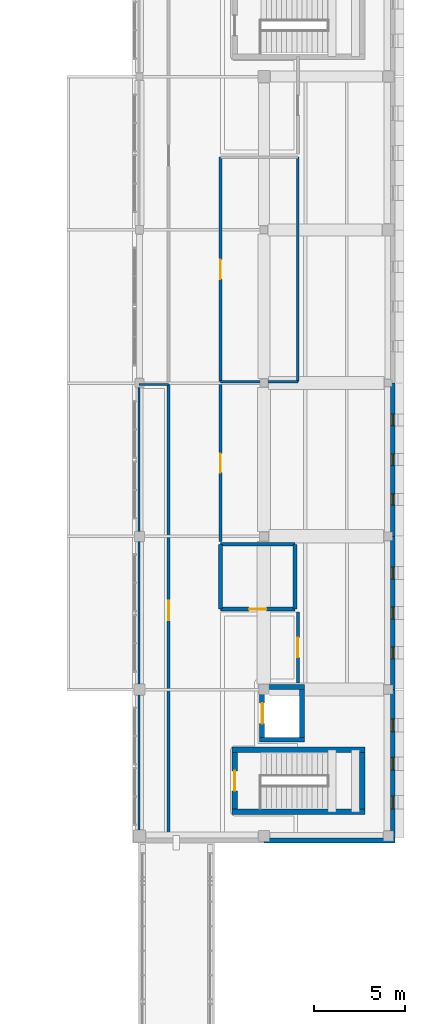
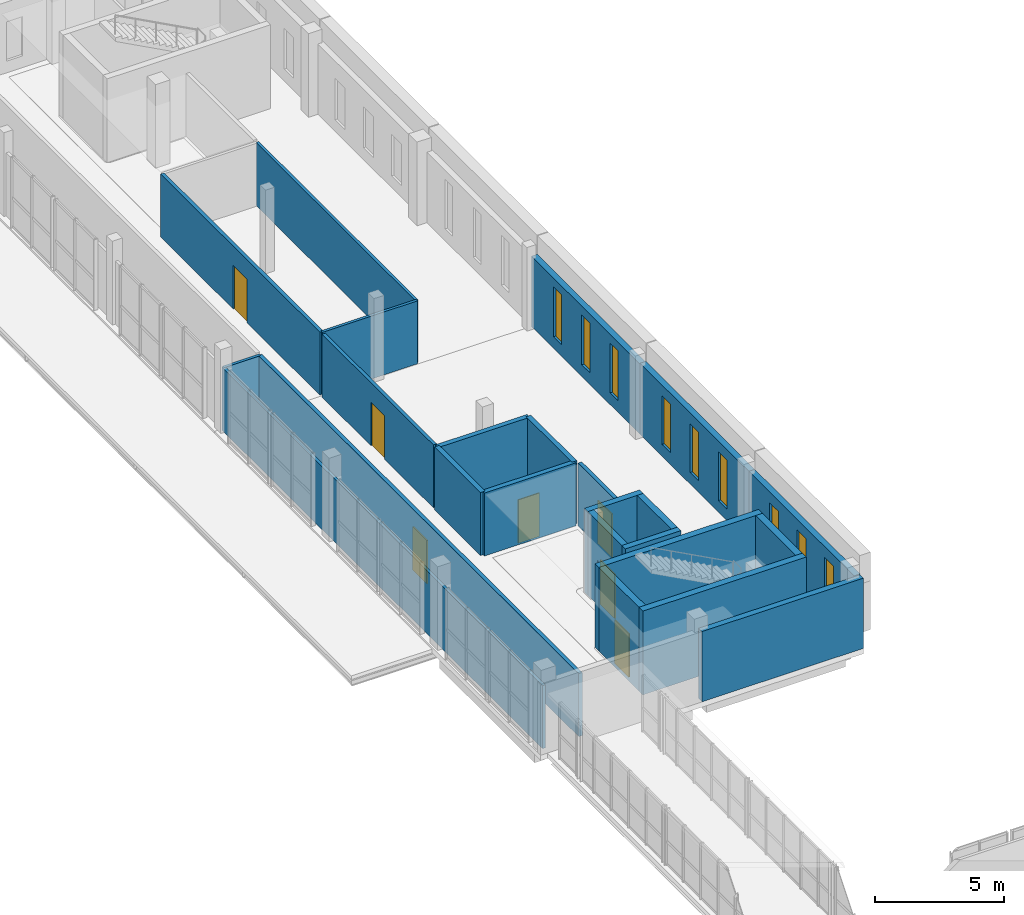
# One storey, part 62 of 76: 24 walls, 9 windows, 7 doors, 16 openings.
"""IFC4 building model written with IfcOpenShell, lengths in metres."""

import ifcopenshell
import ifcopenshell.guid

model = None  # the IFC model being written
_history = None  # IfcOwnerHistory: only IFC2X3 demands one
_inside = {}  # id of a spatial element -> (the spatial element, [elements in it])
_under = {}  # id of a project, library or spatial element -> (it, [spatial elements below it])
_declared = {}  # id of a project -> (the project, [libraries it declares])
_typed = {}  # id of a type object -> (the type object, [elements of that type])
_made_of = {}  # id of a material, layer set ... -> (it, [elements and type objects made of it])


def new_model(schema):
    """Start an empty IFC model of exactly this schema.

    Asked for "IFC4X3", IfcOpenShell would pick the latest addendum, in which some entities
    have other attributes; the version numbers below select the first issue.
    IFC2X3 requires an IfcOwnerHistory on every rooted entity: one is made here for all.
    """
    global model, _history
    if schema == "IFC4X3":
        model = ifcopenshell.file(schema_version=(4, 3, 0, 0))
    else:
        model = ifcopenshell.file(schema=schema)
    _inside.clear()
    _under.clear()
    _declared.clear()
    _typed.clear()
    _made_of.clear()
    _history = None
    if model.schema == "IFC2X3":
        org = make("IfcOrganization", Name="unknown")
        user = make(
            "IfcPersonAndOrganization",
            ThePerson=make("IfcPerson", FamilyName="unknown"),
            TheOrganization=org,
        )
        app = make(
            "IfcApplication",
            ApplicationDeveloper=org,
            Version="unknown",
            ApplicationFullName="unknown",
            ApplicationIdentifier="unknown",
        )
        _history = make(
            "IfcOwnerHistory",
            OwningUser=user,
            OwningApplication=app,
            ChangeAction="ADDED",
            CreationDate=0,
        )
    return model


def make(cls, **values):
    """One entity of the class cls with the attributes given. An attribute that is None is left unset."""
    return model.create_entity(
        cls, **{name: value for name, value in values.items() if value is not None}
    )


def rooted(cls, **values):
    """An entity with a GlobalId (a new one), such as an element, a storey or a relation."""
    return make(cls, GlobalId=ifcopenshell.guid.new(), OwnerHistory=_history, **values)


def si_unit(unit_type, name, prefix=None):
    """IfcSIUnit, for example si_unit("LENGTHUNIT", "METRE", prefix="MILLI")."""
    return make("IfcSIUnit", UnitType=unit_type, Prefix=prefix, Name=name)


def assignment(units):
    """IfcUnitAssignment: the units of a project."""
    return None if units is None else make("IfcUnitAssignment", Units=units)


def point(xyz):
    """IfcCartesianPoint."""
    return None if xyz is None else make("IfcCartesianPoint", Coordinates=xyz)


def direction(xyz):
    """IfcDirection."""
    return None if xyz is None else make("IfcDirection", DirectionRatios=xyz)


def frame(location, z_axis=None, x_axis=None):
    """IfcAxis2Placement3D, a coordinate frame: its origin and axes. An axis left out is left unset."""
    return make(
        "IfcAxis2Placement3D",
        Location=point(location),
        Axis=direction(z_axis),
        RefDirection=direction(x_axis),
    )


def frame_2d(location, x_axis=None):
    """IfcAxis2Placement2D, a coordinate frame in the plane: its origin and x axis."""
    return make(
        "IfcAxis2Placement2D", Location=point(location), RefDirection=direction(x_axis)
    )


def origin():
    """The frame at (0, 0, 0) with its axes left unset."""
    return frame((0.0, 0.0, 0.0))


def place(relative_to, where):
    """IfcLocalPlacement: puts the frame where relative to a parent placement (None: the world)."""
    return make(
        "IfcLocalPlacement", PlacementRelTo=relative_to, RelativePlacement=where
    )


def context(
    kind, dimensions, precision=None, world=None, true_north=None, identifier=None
):
    """IfcGeometricRepresentationContext, for example the 3D "Model" context."""
    return make(
        "IfcGeometricRepresentationContext",
        ContextIdentifier=identifier,
        ContextType=kind,
        CoordinateSpaceDimension=dimensions,
        Precision=precision,
        WorldCoordinateSystem=world,
        TrueNorth=true_north,
    )


def subcontext(parent, identifier, kind, view, scale=None):
    """IfcGeometricRepresentationSubContext, for example "Body" below "Model"."""
    return make(
        "IfcGeometricRepresentationSubContext",
        ContextIdentifier=identifier,
        ContextType=kind,
        ParentContext=parent,
        TargetScale=scale,
        TargetView=view,
    )


def project(units=None, contexts=None):
    """IfcProject with its units and contexts."""
    return rooted(
        "IfcProject",
        Name="project",
        RepresentationContexts=contexts,
        UnitsInContext=assignment(units),
    )


def spatial(cls, under=None, at=None, **own):
    """A site, building, storey or space (cls), placed at a placement, below another one or the project."""
    s = rooted(cls, ObjectPlacement=at, **own)
    if under is not None:
        _under.setdefault(under.id(), (under, []))[1].append(s)
    return s


def profile(cls, at=None, kind="AREA", **sizes):
    """A parametric profile (cls). Its sizes go by their IFC names, for example OverallWidth=200.0."""
    return make(cls, ProfileType=kind, Position=at, **sizes)


def rectangle(**sizes):
    """IfcRectangleProfileDef."""
    return profile("IfcRectangleProfileDef", **sizes)


def extrude(swept, where, along, depth):
    """IfcExtrudedAreaSolid: the profile swept, set in the frame where, extruded along a direction by depth."""
    return make(
        "IfcExtrudedAreaSolid",
        SweptArea=swept,
        Position=where,
        ExtrudedDirection=direction(along),
        Depth=depth,
    )


def shape(context_of_items, identifier, shape_type, items):
    """IfcShapeRepresentation: the items that make up one representation, for example the "Body"."""
    return make(
        "IfcShapeRepresentation",
        ContextOfItems=context_of_items,
        RepresentationIdentifier=identifier,
        RepresentationType=shape_type,
        Items=items,
    )


def material(Name=None, Category=None):
    """IfcMaterial."""
    return make("IfcMaterial", Name=Name, Category=Category)


def layer(
    of_material, thickness, ventilated=None, Name=None, Category=None, Priority=None
):
    """IfcMaterialLayer: one layer of a wall or slab, of a material (None: an air gap)."""
    return make(
        "IfcMaterialLayer",
        Material=of_material,
        LayerThickness=thickness,
        IsVentilated=ventilated,
        Name=Name,
        Category=Category,
        Priority=Priority,
    )


def layer_set(layers, Name=None):
    """IfcMaterialLayerSet."""
    return make("IfcMaterialLayerSet", MaterialLayers=layers, LayerSetName=Name)


def made_of(thing, what):
    """Note that an element or type object is made of a material, layer set ...; save() writes the relation."""
    if what is not None:
        _made_of.setdefault(what.id(), (what, []))[1].append(thing)
    return thing


def type_object(cls, material=None, **own):
    """A type object (cls), such as IfcWallType, which elements share."""
    return made_of(rooted(cls, **own), material)


def element(
    cls,
    number,
    at=None,
    inside=None,
    cuts=None,
    type_object=None,
    material=None,
    context=None,
    identifier="Body",
    shape_type=None,
    held_by="IfcProductDefinitionShape",
    body=None,
    shapes=None,
    **own,
):
    """One element of the class cls, such as IfcWall. Its Tag is "e" and its number.

    at: its placement. inside: the storey or other place that contains it. cuts: it is an
    opening in that element (IfcRelVoidsElement). A single representation is given by context,
    identifier, shape_type and body (its items); several are given by shapes. held_by: the class
    of the entity that holds the representations. save() writes the other relations.
    """
    e = rooted(cls, Tag="e%d" % number, ObjectPlacement=at, **own)
    if body is not None:
        shapes = [shape(context, identifier, shape_type, body)]
    if shapes is not None:
        e.Representation = make(held_by, Representations=shapes)
    if inside is not None:
        _inside.setdefault(inside.id(), (inside, []))[1].append(e)
    if cuts is not None:
        rooted(
            "IfcRelVoidsElement", RelatingBuildingElement=cuts, RelatedOpeningElement=e
        )
    if type_object is not None:
        _typed.setdefault(type_object.id(), (type_object, []))[1].append(e)
    return made_of(e, material)


def fill(opening, filler):
    """IfcRelFillsElement: the door or window that sits in an opening."""
    return rooted(
        "IfcRelFillsElement",
        RelatingOpeningElement=opening,
        RelatedBuildingElement=filler,
    )


def aggregate(whole, parts):
    """IfcRelAggregates: a whole, such as a stair, and the parts it consists of."""
    return rooted("IfcRelAggregates", RelatingObject=whole, RelatedObjects=parts)


def save(model, path):
    """Write the relations noted so far, then the file.

    IfcRelAggregates (storeys below a building ...), IfcRelContainedInSpatialStructure (elements
    in a storey), IfcRelDefinesByType, IfcRelAssociatesMaterial and IfcRelDeclares: one each for
    every whole, place, type object, material and project.
    """
    for whole, parts in _under.values():
        aggregate(whole, parts)
    for where, things in _inside.values():
        rooted(
            "IfcRelContainedInSpatialStructure",
            RelatedElements=things,
            RelatingStructure=where,
        )
    for kind, things in _typed.values():
        rooted("IfcRelDefinesByType", RelatedObjects=things, RelatingType=kind)
    for what, things in _made_of.values():
        rooted("IfcRelAssociatesMaterial", RelatedObjects=things, RelatingMaterial=what)
    for by, libraries in _declared.values():
        rooted("IfcRelDeclares", RelatingContext=by, RelatedDefinitions=libraries)
    model.write(path)


model = new_model("IFC4")

# Units and contexts
model_context = context("Model", 3, precision=1e-05, world=origin(), true_north=direction((0.0, 1.0)))
body_context = subcontext(model_context, "Body", "Model", "MODEL_VIEW")
ifc_project = project(units=[si_unit("LENGTHUNIT", "METRE"), si_unit("AREAUNIT", "SQUARE_METRE"), si_unit("VOLUMEUNIT", "CUBIC_METRE"), si_unit("PLANEANGLEUNIT", "RADIAN"), si_unit("MASSUNIT", "GRAM", prefix="KILO")], contexts=[model_context])

# Site, building, storey
site_placement = place(None, origin())
site = spatial("IfcSite", under=ifc_project, at=site_placement, CompositionType="ELEMENT")
building_placement = place(site_placement, origin())
building = spatial("IfcBuilding", under=site, at=building_placement, Name="Vardoun Plaza Health Centre", CompositionType="ELEMENT")
storey_placement = place(building_placement, frame((0.0, 0.0, 4.5)))
storey = spatial("IfcBuildingStorey", under=building, at=storey_placement, Name="L01", CompositionType="ELEMENT", Elevation=4.5)

# Wall
ifc_material_1 = material(Name="Concrete C40/50", Category="concrete")
ifc_layer_1 = layer(ifc_material_1, 0.27001953125)
ifc_layer_set_1 = layer_set([ifc_layer_1], Name="Concrete C40/50")
wall_type_1 = type_object("IfcWallType", Name="SW-03", PredefinedType="SHEAR", material=ifc_layer_set_1)
wall_1_placement = place(storey_placement, frame((160.3349609375, 41.949951171875, 0.0), z_axis=(0.0, 0.0, 1.0), x_axis=(-1.0, 0.0, 0.0)))
element("IfcWall", 1, at=wall_1_placement, inside=storey, type_object=wall_type_1, Name="Lift LP-05 L01 Shaft Wall S", PredefinedType="SHEAR", context=body_context, shape_type="SweptSolid", body=[
    extrude(rectangle(XDim=2.469970703125, YDim=0.27001953125, at=frame_2d((1.23486328125, 0.0))), origin(), (0.0, 0.0, 1.0), 3.949951171875),
])

# Wall, opening, door
wall_2_placement = place(storey_placement, frame((158.0, 42.0849609375, 0.0), z_axis=(0.0, 0.0, 1.0), x_axis=(0.0, 1.0, 0.0)))
wall_2 = element("IfcWall", 2, at=wall_2_placement, inside=storey, type_object=wall_type_1, Name="Lift LP-05 L01 Shaft Wall W", PredefinedType="SHEAR", context=body_context, shape_type="SweptSolid", body=[
    extrude(rectangle(XDim=2.630126953125, YDim=0.27001953125, at=frame_2d((1.31494140625, 0.0))), origin(), (0.0, 0.0, 1.0), 3.949951171875),
])
opening_1_placement = place(wall_2_placement, frame((0.7548828125, 0.0, 0.0)))
opening_1 = element("IfcOpeningElement", 3, at=opening_1_placement, cuts=wall_2, Name="Opening LD-LP-05-L01", PredefinedType="OPENING", context=body_context, shape_type="SweptSolid", body=[
    extrude(rectangle(XDim=1.1201171875, YDim=2.10009765625, at=frame_2d((0.56005859375, 1.050048828125))), frame((0.0, 0.135009765625, 0.0), z_axis=(0.0, -1.0, 0.0), x_axis=(1.0, 0.0, 0.0)), (0.0, 0.0, 1.0), 0.27001953125),
])
ifc_material_2 = material(Name="Brushed Stainless Steel Grade 316L", Category="steel")
door_type_1 = type_object("IfcDoorType", Name="LD-01", OperationType="DOUBLE_DOOR_SLIDING", PredefinedType="DOOR", material=ifc_material_2)
door_1_placement = place(opening_1_placement, origin())
door_1 = element("IfcDoor", 4, at=door_1_placement, inside=storey, type_object=door_type_1, Name="Lift LP-05 L01 Sliding Landing Door", OperationType="DOUBLE_DOOR_SLIDING", OverallHeight=2.10009765625, OverallWidth=1.1201171875, PredefinedType="DOOR", context=body_context, shape_type="SweptSolid", body=[
    extrude(rectangle(XDim=1.1201171875, YDim=2.10009765625, at=frame_2d((0.56005859375, 1.050048828125))), frame((0.0, 0.02490234375, 0.0), z_axis=(0.0, -1.0, 0.0), x_axis=(1.0, 0.0, 0.0)), (0.0, 0.0, 1.0), 0.050048828125),
])
fill(opening_1, door_1)

# Walls
wall_3_placement = place(storey_placement, frame((157.864990234375, 44.85009765625, 0.0), z_axis=(0.0, 0.0, 1.0), x_axis=(1.0, 0.0, 0.0)))
element("IfcWall", 5, at=wall_3_placement, inside=storey, type_object=wall_type_1, Name="Lift LP-05 L01 Shaft Wall N", PredefinedType="SHEAR", context=body_context, shape_type="SweptSolid", body=[
    extrude(rectangle(XDim=2.469970703125, YDim=0.27001953125, at=frame_2d((1.23486328125, 0.0))), origin(), (0.0, 0.0, 1.0), 3.949951171875),
])
wall_4_placement = place(storey_placement, frame((160.199951171875, 44.715087890625, 0.0), z_axis=(0.0, 0.0, 1.0), x_axis=(0.0, -1.0, 0.0)))
element("IfcWall", 6, at=wall_4_placement, inside=storey, type_object=wall_type_1, Name="Lift LP-05 L01 Shaft Wall E", PredefinedType="SHEAR", context=body_context, shape_type="SweptSolid", body=[
    extrude(rectangle(XDim=2.630126953125, YDim=0.27001953125, at=frame_2d((1.31494140625, 0.0))), origin(), (0.0, 0.0, 1.0), 3.949951171875),
])
ifc_material_3 = material(Name="Concrete C40/50", Category="concrete")
ifc_layer_2 = layer(ifc_material_3, 0.300048828125)
ifc_layer_set_2 = layer_set([ifc_layer_2], Name="Concrete C40/50")
wall_type_2 = type_object("IfcWallType", Name="SW-01", PredefinedType="SHEAR", material=ifc_layer_set_2)
wall_5_placement = place(storey_placement, frame((163.64990234375, 38.0, 0.0), z_axis=(0.0, 0.0, 1.0), x_axis=(-1.0, 0.0, 0.0)))
element("IfcWall", 7, at=wall_5_placement, inside=storey, type_object=wall_type_2, Name="Core C10 L01 Shear Wall S", PredefinedType="SHEAR", context=body_context, shape_type="SweptSolid", body=[
    extrude(rectangle(XDim=7.2998046875, YDim=0.300048828125, at=frame_2d((3.64990234375, 0.0))), origin(), (0.0, 0.0, 1.0), 3.949951171875),
])

# Wall, opening, door
wall_6_placement = place(storey_placement, frame((156.5, 38.14990234375, 0.0), z_axis=(0.0, 0.0, 1.0), x_axis=(0.0, 1.0, 0.0)))
wall_6 = element("IfcWall", 8, at=wall_6_placement, inside=storey, type_object=wall_type_2, Name="Core C10 L01 Shear Wall W", PredefinedType="SHEAR", context=body_context, shape_type="SweptSolid", body=[
    extrude(rectangle(XDim=3.10009765625, YDim=0.300048828125, at=frame_2d((1.550048828125, 0.0))), origin(), (0.0, 0.0, 1.0), 3.949951171875),
])
opening_2_placement = place(wall_6_placement, frame((1.0, 0.0, 0.0)))
opening_2 = element("IfcOpeningElement", 9, at=opening_2_placement, cuts=wall_6, Name="Opening SD-C10-L01", PredefinedType="OPENING", context=body_context, shape_type="SweptSolid", body=[
    extrude(rectangle(XDim=1.10009765625, YDim=2.050048828125, at=frame_2d((0.550048828125, 1.02490234375))), frame((0.0, 0.14990234375, 0.0), z_axis=(0.0, -1.0, 0.0), x_axis=(1.0, 0.0, 0.0)), (0.0, 0.0, 1.0), 0.300048828125),
])
ifc_material_4 = material(Name="Brushed Stainless Steel Grade 316L", Category="steel")
door_type_2 = type_object("IfcDoorType", Name="FD-01", OperationType="NOTDEFINED", PredefinedType="DOOR", material=ifc_material_4)
door_2_placement = place(opening_2_placement, origin())
door_2 = element("IfcDoor", 10, at=door_2_placement, inside=storey, type_object=door_type_2, Name="Stair C10 L01 Fire Door", OperationType="SINGLE_SWING_LEFT", OverallHeight=2.050048828125, OverallWidth=1.10009765625, PredefinedType="DOOR", context=body_context, shape_type="SweptSolid", body=[
    extrude(rectangle(XDim=1.10009765625, YDim=2.050048828125, at=frame_2d((0.550048828125, 1.02490234375))), frame((0.0, 0.02490234375, 0.0), z_axis=(0.0, -1.0, 0.0), x_axis=(1.0, 0.0, 0.0)), (0.0, 0.0, 1.0), 0.050048828125),
])
fill(opening_2, door_2)

# Walls
wall_7_placement = place(storey_placement, frame((156.35009765625, 41.39990234375, 0.0), z_axis=(0.0, 0.0, 1.0), x_axis=(1.0, 0.0, 0.0)))
element("IfcWall", 11, at=wall_7_placement, inside=storey, type_object=wall_type_2, Name="Core C10 L01 Shear Wall N", PredefinedType="SHEAR", context=body_context, shape_type="SweptSolid", body=[
    extrude(rectangle(XDim=7.2998046875, YDim=0.300048828125, at=frame_2d((3.64990234375, 0.0))), origin(), (0.0, 0.0, 1.0), 3.949951171875),
])
wall_8_placement = place(storey_placement, frame((163.5, 41.25, 0.0), z_axis=(0.0, 0.0, 1.0), x_axis=(0.0, -1.0, 0.0)))
element("IfcWall", 12, at=wall_8_placement, inside=storey, type_object=wall_type_2, Name="Core C10 L01 Shear Wall E", PredefinedType="SHEAR", context=body_context, shape_type="SweptSolid", body=[
    extrude(rectangle(XDim=3.10009765625, YDim=0.300048828125, at=frame_2d((1.550048828125, 0.0))), origin(), (0.0, 0.0, 1.0), 3.949951171875),
])

# Wall, openings, windows
ifc_material_5 = material(Name="Pale Limestone Concrete C35/45", Category="masonry")
ifc_layer_3 = layer(ifc_material_5, 0.264892578125)
ifc_layer_set_3 = layer_set([ifc_layer_3], Name="Pale Limestone Concrete C35/45")
wall_type_3 = type_object("IfcWallType", Name="EW-06", PredefinedType="STANDARD", material=ifc_layer_set_3)
wall_9_placement = place(storey_placement, frame((165.16748046875, 61.5, 0.0), z_axis=(0.0, 0.0, 1.0), x_axis=(0.0, -1.0, 0.0)))
wall_9 = element("IfcWall", 13, at=wall_9_placement, inside=storey, type_object=wall_type_3, Name="V6 L01 Exterior Wall EW-V6-430", PredefinedType="STANDARD", context=body_context, shape_type="SweptSolid", body=[
    extrude(rectangle(XDim=8.39990234375, YDim=0.264892578125, at=frame_2d((4.199951171875, 0.0))), origin(), (0.0, 0.0, 1.0), 3.31494140625),
])
opening_3_placement = place(wall_9_placement, frame((1.7060546875, 0.0, 0.550048828125)))
opening_3 = element("IfcOpeningElement", 14, at=opening_3_placement, cuts=wall_9, Name="Opening W-02-014", PredefinedType="OPENING", context=body_context, shape_type="SweptSolid", body=[
    extrude(rectangle(XDim=0.6201171875, YDim=2.35009765625, at=frame_2d((0.31005859375, 1.175048828125))), frame((0.0, 0.13232421875, 0.0), z_axis=(0.0, -1.0, 0.0), x_axis=(1.0, 0.0, 0.0)), (0.0, 0.0, 1.0), 0.264892578125),
])
opening_4_placement = place(wall_9_placement, frame((3.889892578125, 0.0, 0.550048828125)))
opening_4 = element("IfcOpeningElement", 15, at=opening_4_placement, cuts=wall_9, Name="Opening W-02-015", PredefinedType="OPENING", context=body_context, shape_type="SweptSolid", body=[
    extrude(rectangle(XDim=0.6201171875, YDim=2.35009765625, at=frame_2d((0.31005859375, 1.175048828125))), frame((0.0, 0.13232421875, 0.0), z_axis=(0.0, -1.0, 0.0), x_axis=(1.0, 0.0, 0.0)), (0.0, 0.0, 1.0), 0.264892578125),
])
opening_5_placement = place(wall_9_placement, frame((6.073974609375, 0.0, 0.550048828125)))
opening_5 = element("IfcOpeningElement", 16, at=opening_5_placement, cuts=wall_9, Name="Opening W-02-016", PredefinedType="OPENING", context=body_context, shape_type="SweptSolid", body=[
    extrude(rectangle(XDim=0.6201171875, YDim=2.35009765625, at=frame_2d((0.31005859375, 1.175048828125))), frame((0.0, 0.13232421875, 0.0), z_axis=(0.0, -1.0, 0.0), x_axis=(1.0, 0.0, 0.0)), (0.0, 0.0, 1.0), 0.264892578125),
])
ifc_material_6 = material(Name="Aluminium Alloy EN AW-6063-T6 and Low-E Glass", Category="aluminium")
window_type_1 = type_object("IfcWindowType", Name="W-02", PartitioningType="SINGLE_PANEL", PredefinedType="WINDOW", material=ifc_material_6)
window_1_placement = place(opening_3_placement, origin())
window_1 = element("IfcWindow", 17, at=window_1_placement, inside=storey, type_object=window_type_1, Name="V6 L01 Deep-Punched Slot Window W-02-664", OverallHeight=2.35009765625, OverallWidth=0.6201171875, PartitioningType="SINGLE_PANEL", PredefinedType="WINDOW", context=body_context, shape_type="SweptSolid", body=[
    extrude(rectangle(XDim=0.6201171875, YDim=2.35009765625, at=frame_2d((0.31005859375, 1.175048828125))), frame((0.0, 0.030029296875, 0.0), z_axis=(0.0, -1.0, 0.0), x_axis=(1.0, 0.0, 0.0)), (0.0, 0.0, 1.0), 0.06005859375),
])
fill(opening_3, window_1)
window_2_placement = place(opening_4_placement, origin())
window_2 = element("IfcWindow", 18, at=window_2_placement, inside=storey, type_object=window_type_1, Name="V6 L01 Deep-Punched Slot Window W-02-665", OverallHeight=2.35009765625, OverallWidth=0.6201171875, PartitioningType="SINGLE_PANEL", PredefinedType="WINDOW", context=body_context, shape_type="SweptSolid", body=[
    extrude(rectangle(XDim=0.6201171875, YDim=2.35009765625, at=frame_2d((0.31005859375, 1.175048828125))), frame((0.0, 0.030029296875, 0.0), z_axis=(0.0, -1.0, 0.0), x_axis=(1.0, 0.0, 0.0)), (0.0, 0.0, 1.0), 0.06005859375),
])
fill(opening_4, window_2)
window_3_placement = place(opening_5_placement, origin())
window_3 = element("IfcWindow", 19, at=window_3_placement, inside=storey, type_object=window_type_1, Name="V6 L01 Deep-Punched Slot Window W-02-666", OverallHeight=2.35009765625, OverallWidth=0.6201171875, PartitioningType="SINGLE_PANEL", PredefinedType="WINDOW", context=body_context, shape_type="SweptSolid", body=[
    extrude(rectangle(XDim=0.6201171875, YDim=2.35009765625, at=frame_2d((0.31005859375, 1.175048828125))), frame((0.0, 0.030029296875, 0.0), z_axis=(0.0, -1.0, 0.0), x_axis=(1.0, 0.0, 0.0)), (0.0, 0.0, 1.0), 0.06005859375),
])
fill(opening_5, window_3)

wall_10_placement = place(storey_placement, frame((165.16748046875, 53.10009765625, 0.0), z_axis=(0.0, 0.0, 1.0), x_axis=(0.0, -1.0, 0.0)))
wall_10 = element("IfcWall", 20, at=wall_10_placement, inside=storey, type_object=wall_type_3, Name="V6 L01 Exterior Wall EW-V6-431", PredefinedType="STANDARD", context=body_context, shape_type="SweptSolid", body=[
    extrude(rectangle(XDim=8.400146484375, YDim=0.264892578125, at=frame_2d((4.2001953125, 0.0))), origin(), (0.0, 0.0, 1.0), 3.35498046875),
])
opening_6_placement = place(wall_10_placement, frame((1.68603515625, 0.0, 0.550048828125)))
opening_6 = element("IfcOpeningElement", 21, at=opening_6_placement, cuts=wall_10, Name="Opening W-03-007", PredefinedType="OPENING", context=body_context, shape_type="SweptSolid", body=[
    extrude(rectangle(XDim=0.659912109375, YDim=2.300048828125, at=frame_2d((0.330078125, 1.14990234375))), frame((0.0, 0.13232421875, 0.0), z_axis=(0.0, -1.0, 0.0), x_axis=(1.0, 0.0, 0.0)), (0.0, 0.0, 1.0), 0.264892578125),
])
opening_7_placement = place(wall_10_placement, frame((3.8701171875, 0.0, 0.550048828125)))
opening_7 = element("IfcOpeningElement", 22, at=opening_7_placement, cuts=wall_10, Name="Opening W-03-008", PredefinedType="OPENING", context=body_context, shape_type="SweptSolid", body=[
    extrude(rectangle(XDim=0.659912109375, YDim=2.300048828125, at=frame_2d((0.330078125, 1.14990234375))), frame((0.0, 0.13232421875, 0.0), z_axis=(0.0, -1.0, 0.0), x_axis=(1.0, 0.0, 0.0)), (0.0, 0.0, 1.0), 0.264892578125),
])
opening_8_placement = place(wall_10_placement, frame((6.053955078125, 0.0, 0.550048828125)))
opening_8 = element("IfcOpeningElement", 23, at=opening_8_placement, cuts=wall_10, Name="Opening W-03-009", PredefinedType="OPENING", context=body_context, shape_type="SweptSolid", body=[
    extrude(rectangle(XDim=0.659912109375, YDim=2.300048828125, at=frame_2d((0.330078125, 1.14990234375))), frame((0.0, 0.13232421875, 0.0), z_axis=(0.0, -1.0, 0.0), x_axis=(1.0, 0.0, 0.0)), (0.0, 0.0, 1.0), 0.264892578125),
])
ifc_material_7 = material(Name="Aluminium Alloy EN AW-6063-T6 and Low-E Glass", Category="aluminium")
window_type_2 = type_object("IfcWindowType", Name="W-03", PartitioningType="SINGLE_PANEL", PredefinedType="WINDOW", material=ifc_material_7)
window_4_placement = place(opening_6_placement, origin())
window_4 = element("IfcWindow", 24, at=window_4_placement, inside=storey, type_object=window_type_2, Name="V6 L01 Deep-Punched Slot Window W-03-667", OverallHeight=2.300048828125, OverallWidth=0.659912109375, PartitioningType="SINGLE_PANEL", PredefinedType="WINDOW", context=body_context, shape_type="SweptSolid", body=[
    extrude(rectangle(XDim=0.659912109375, YDim=2.300048828125, at=frame_2d((0.330078125, 1.14990234375))), frame((0.0, 0.030029296875, 0.0), z_axis=(0.0, -1.0, 0.0), x_axis=(1.0, 0.0, 0.0)), (0.0, 0.0, 1.0), 0.06005859375),
])
fill(opening_6, window_4)
window_5_placement = place(opening_7_placement, origin())
window_5 = element("IfcWindow", 25, at=window_5_placement, inside=storey, type_object=window_type_2, Name="V6 L01 Deep-Punched Slot Window W-03-668", OverallHeight=2.300048828125, OverallWidth=0.659912109375, PartitioningType="SINGLE_PANEL", PredefinedType="WINDOW", context=body_context, shape_type="SweptSolid", body=[
    extrude(rectangle(XDim=0.659912109375, YDim=2.300048828125, at=frame_2d((0.330078125, 1.14990234375))), frame((0.0, 0.030029296875, 0.0), z_axis=(0.0, -1.0, 0.0), x_axis=(1.0, 0.0, 0.0)), (0.0, 0.0, 1.0), 0.06005859375),
])
fill(opening_7, window_5)
window_6_placement = place(opening_8_placement, origin())
window_6 = element("IfcWindow", 26, at=window_6_placement, inside=storey, type_object=window_type_2, Name="V6 L01 Deep-Punched Slot Window W-03-669", OverallHeight=2.300048828125, OverallWidth=0.659912109375, PartitioningType="SINGLE_PANEL", PredefinedType="WINDOW", context=body_context, shape_type="SweptSolid", body=[
    extrude(rectangle(XDim=0.659912109375, YDim=2.300048828125, at=frame_2d((0.330078125, 1.14990234375))), frame((0.0, 0.030029296875, 0.0), z_axis=(0.0, -1.0, 0.0), x_axis=(1.0, 0.0, 0.0)), (0.0, 0.0, 1.0), 0.06005859375),
])
fill(opening_8, window_6)

wall_11_placement = place(storey_placement, frame((165.16748046875, 44.699951171875, 0.0), z_axis=(0.0, 0.0, 1.0), x_axis=(0.0, -1.0, 0.0)))
wall_11 = element("IfcWall", 27, at=wall_11_placement, inside=storey, type_object=wall_type_3, Name="V6 L01 Exterior Wall EW-V6-432", PredefinedType="STANDARD", context=body_context, shape_type="SweptSolid", body=[
    extrude(rectangle(XDim=8.135009765625, YDim=0.264892578125, at=frame_2d((4.0673828125, 0.0))), origin(), (0.0, 0.0, 1.0), 3.35498046875),
])
opening_9_placement = place(wall_11_placement, frame((1.602294921875, 0.0, 0.550048828125)))
opening_9 = element("IfcOpeningElement", 28, at=opening_9_placement, cuts=wall_11, Name="Opening W-04-008", PredefinedType="OPENING", context=body_context, shape_type="SweptSolid", body=[
    extrude(rectangle(XDim=0.699951171875, YDim=2.300048828125, at=frame_2d((0.35009765625, 1.14990234375))), frame((0.0, 0.13232421875, 0.0), z_axis=(0.0, -1.0, 0.0), x_axis=(1.0, 0.0, 0.0)), (0.0, 0.0, 1.0), 0.264892578125),
])
opening_10_placement = place(wall_11_placement, frame((3.717529296875, 0.0, 0.550048828125)))
opening_10 = element("IfcOpeningElement", 29, at=opening_10_placement, cuts=wall_11, Name="Opening W-04-009", PredefinedType="OPENING", context=body_context, shape_type="SweptSolid", body=[
    extrude(rectangle(XDim=0.699951171875, YDim=2.300048828125, at=frame_2d((0.35009765625, 1.14990234375))), frame((0.0, 0.13232421875, 0.0), z_axis=(0.0, -1.0, 0.0), x_axis=(1.0, 0.0, 0.0)), (0.0, 0.0, 1.0), 0.264892578125),
])
opening_11_placement = place(wall_11_placement, frame((5.83251953125, 0.0, 0.550048828125)))
opening_11 = element("IfcOpeningElement", 30, at=opening_11_placement, cuts=wall_11, Name="Opening W-04-010", PredefinedType="OPENING", context=body_context, shape_type="SweptSolid", body=[
    extrude(rectangle(XDim=0.699951171875, YDim=2.300048828125, at=frame_2d((0.35009765625, 1.14990234375))), frame((0.0, 0.13232421875, 0.0), z_axis=(0.0, -1.0, 0.0), x_axis=(1.0, 0.0, 0.0)), (0.0, 0.0, 1.0), 0.264892578125),
])
ifc_material_8 = material(Name="Aluminium Alloy EN AW-6063-T6 and Low-E Glass", Category="aluminium")
window_type_3 = type_object("IfcWindowType", Name="W-04", PartitioningType="SINGLE_PANEL", PredefinedType="WINDOW", material=ifc_material_8)
window_7_placement = place(opening_9_placement, origin())
window_7 = element("IfcWindow", 31, at=window_7_placement, inside=storey, type_object=window_type_3, Name="V6 L01 Deep-Punched Slot Window W-04-670", OverallHeight=2.300048828125, OverallWidth=0.699951171875, PartitioningType="SINGLE_PANEL", PredefinedType="WINDOW", context=body_context, shape_type="SweptSolid", body=[
    extrude(rectangle(XDim=0.699951171875, YDim=2.300048828125, at=frame_2d((0.35009765625, 1.14990234375))), frame((0.0, 0.030029296875, 0.0), z_axis=(0.0, -1.0, 0.0), x_axis=(1.0, 0.0, 0.0)), (0.0, 0.0, 1.0), 0.06005859375),
])
fill(opening_9, window_7)
window_8_placement = place(opening_10_placement, origin())
window_8 = element("IfcWindow", 32, at=window_8_placement, inside=storey, type_object=window_type_3, Name="V6 L01 Deep-Punched Slot Window W-04-671", OverallHeight=2.300048828125, OverallWidth=0.699951171875, PartitioningType="SINGLE_PANEL", PredefinedType="WINDOW", context=body_context, shape_type="SweptSolid", body=[
    extrude(rectangle(XDim=0.699951171875, YDim=2.300048828125, at=frame_2d((0.35009765625, 1.14990234375))), frame((0.0, 0.030029296875, 0.0), z_axis=(0.0, -1.0, 0.0), x_axis=(1.0, 0.0, 0.0)), (0.0, 0.0, 1.0), 0.06005859375),
])
fill(opening_10, window_8)
window_9_placement = place(opening_11_placement, origin())
window_9 = element("IfcWindow", 33, at=window_9_placement, inside=storey, type_object=window_type_3, Name="V6 L01 Deep-Punched Slot Window W-04-672", OverallHeight=2.300048828125, OverallWidth=0.699951171875, PartitioningType="SINGLE_PANEL", PredefinedType="WINDOW", context=body_context, shape_type="SweptSolid", body=[
    extrude(rectangle(XDim=0.699951171875, YDim=2.300048828125, at=frame_2d((0.35009765625, 1.14990234375))), frame((0.0, 0.030029296875, 0.0), z_axis=(0.0, -1.0, 0.0), x_axis=(1.0, 0.0, 0.0)), (0.0, 0.0, 1.0), 0.06005859375),
])
fill(opening_11, window_9)

# Wall
wall_12_placement = place(storey_placement, frame((165.300048828125, 36.4326171875, 0.0), z_axis=(0.0, 0.0, 1.0), x_axis=(-1.0, 0.0, 0.0)))
element("IfcWall", 34, at=wall_12_placement, inside=storey, type_object=wall_type_3, Name="V6 L01 Exterior Wall EW-V6-433", PredefinedType="STANDARD", context=body_context, shape_type="SweptSolid", body=[
    extrude(rectangle(XDim=7.199951171875, YDim=0.264892578125, at=frame_2d((3.60009765625, 0.0))), origin(), (0.0, 0.0, 1.0), 3.31494140625),
])

# Wall, opening, door
ifc_material_9 = material(Name="Acoustic Gypsum Twin-Stud", Category="steel")
ifc_layer_4 = layer(ifc_material_9, 0.14990234375)
ifc_layer_set_4 = layer_set([ifc_layer_4], Name="Acoustic Gypsum Twin-Stud")
wall_type_4 = type_object("IfcWallType", Name="IW-04", PredefinedType="PARTITIONING", material=ifc_layer_set_4)
wall_13_placement = place(storey_placement, frame((155.719970703125, 52.805908203125, 0.0), z_axis=(0.0, 0.0, 1.0), x_axis=(0.0, 1.0, 0.0)))
wall_13 = element("IfcWall", 35, at=wall_13_placement, inside=storey, type_object=wall_type_4, Name="Dental Waiting Lounge Partition Wall", PredefinedType="PARTITIONING", context=body_context, shape_type="SweptSolid", body=[
    extrude(rectangle(XDim=8.614013671875, YDim=0.14990234375, at=frame_2d((4.30712890625, 0.0))), origin(), (0.0, 0.0, 1.0), 2.969970703125),
])
opening_12_placement = place(wall_13_placement, frame((3.787109375, 0.0, 0.0)))
opening_12 = element("IfcOpeningElement", 36, at=opening_12_placement, cuts=wall_13, Name="Opening D-L01-172", PredefinedType="OPENING", context=body_context, shape_type="SweptSolid", body=[
    extrude(rectangle(XDim=1.0400390625, YDim=2.050048828125, at=frame_2d((0.52001953125, 1.02490234375))), frame((0.0, 0.074951171875, 0.0), z_axis=(0.0, -1.0, 0.0), x_axis=(1.0, 0.0, 0.0)), (0.0, 0.0, 1.0), 0.14990234375),
])
ifc_material_10 = material(Name="Antimicrobial Acoustic Timber and Steel S275JR", Category="steel")
door_type_3 = type_object("IfcDoorType", Name="CD-04", OperationType="NOTDEFINED", PredefinedType="DOOR", material=ifc_material_10)
door_3_placement = place(opening_12_placement, origin())
door_3 = element("IfcDoor", 37, at=door_3_placement, inside=storey, type_object=door_type_3, Name="Dental Waiting Lounge Door D-L01-172", OperationType="SINGLE_SWING_RIGHT", OverallHeight=2.050048828125, OverallWidth=1.0400390625, PredefinedType="DOOR", context=body_context, shape_type="SweptSolid", body=[
    extrude(rectangle(XDim=1.0400390625, YDim=2.050048828125, at=frame_2d((0.52001953125, 1.02490234375))), frame((0.0, 0.02490234375, 0.0), z_axis=(0.0, -1.0, 0.0), x_axis=(1.0, 0.0, 0.0)), (0.0, 0.0, 1.0), 0.050048828125),
])
fill(opening_12, door_3)

ifc_material_11 = material(Name="Lead-Foil Dental Operatory Partition", Category="steel")
ifc_layer_5 = layer(ifc_material_11, 0.159912109375)
ifc_layer_set_5 = layer_set([ifc_layer_5], Name="Lead-Foil Dental Operatory Partition")
wall_type_5 = type_object("IfcWallType", Name="IW-08", PredefinedType="PARTITIONING", material=ifc_layer_set_5)
wall_14_placement = place(storey_placement, frame((155.719970703125, 61.580078125, 0.0), z_axis=(0.0, 0.0, 1.0), x_axis=(0.0, 1.0, 0.0)))
wall_14 = element("IfcWall", 38, at=wall_14_placement, inside=storey, type_object=wall_type_5, Name="Dental Clinic Operatory 1 Partition Wall", PredefinedType="PARTITIONING", context=body_context, shape_type="SweptSolid", body=[
    extrude(rectangle(XDim=12.304931640625, YDim=0.159912109375, at=frame_2d((6.15234375, 0.0))), origin(), (0.0, 0.0, 1.0), 2.969970703125),
])
opening_13_placement = place(wall_14_placement, frame((5.612548828125, 0.0, 0.0)))
opening_13 = element("IfcOpeningElement", 39, at=opening_13_placement, cuts=wall_14, Name="Opening D-L01-168", PredefinedType="OPENING", context=body_context, shape_type="SweptSolid", body=[
    extrude(rectangle(XDim=1.080078125, YDim=2.050048828125, at=frame_2d((0.5400390625, 1.02490234375))), frame((0.0, 0.080078125, 0.0), z_axis=(0.0, -1.0, 0.0), x_axis=(1.0, 0.0, 0.0)), (0.0, 0.0, 1.0), 0.159912109375),
])
ifc_material_12 = material(Name="Antimicrobial Acoustic Timber and Steel S275JR", Category="steel")
door_type_4 = type_object("IfcDoorType", Name="CD-05", OperationType="NOTDEFINED", PredefinedType="DOOR", material=ifc_material_12)
door_4_placement = place(opening_13_placement, origin())
door_4 = element("IfcDoor", 40, at=door_4_placement, inside=storey, type_object=door_type_4, Name="Dental Clinic Operatory 1 Door D-L01-168", OperationType="SINGLE_SWING_RIGHT", OverallHeight=2.050048828125, OverallWidth=1.080078125, PredefinedType="DOOR", context=body_context, shape_type="SweptSolid", body=[
    extrude(rectangle(XDim=1.080078125, YDim=2.050048828125, at=frame_2d((0.5400390625, 1.02490234375))), frame((0.0, 0.02490234375, 0.0), z_axis=(0.0, -1.0, 0.0), x_axis=(1.0, 0.0, 0.0)), (0.0, 0.0, 1.0), 0.050048828125),
])
fill(opening_13, door_4)

wall_15_placement = place(storey_placement, frame((152.8798828125, 61.419921875, 0.0), z_axis=(0.0, 0.0, 1.0), x_axis=(0.0, -1.0, 0.0)))
wall_15 = element("IfcWall", 41, at=wall_15_placement, inside=storey, type_object=wall_type_5, Name="Dental Clinic Operatory 2 Partition Wall", PredefinedType="PARTITIONING", context=body_context, shape_type="SweptSolid", body=[
    extrude(rectangle(XDim=24.77001953125, YDim=0.159912109375, at=frame_2d((12.385009765625, 0.0))), origin(), (0.0, 0.0, 1.0), 2.969970703125),
])
opening_14_placement = place(wall_15_placement, frame((11.844970703125, 0.0, 0.0)))
opening_14 = element("IfcOpeningElement", 42, at=opening_14_placement, cuts=wall_15, Name="Opening D-L01-169", PredefinedType="OPENING", context=body_context, shape_type="SweptSolid", body=[
    extrude(rectangle(XDim=1.080078125, YDim=2.050048828125, at=frame_2d((0.5400390625, 1.02490234375))), frame((0.0, 0.080078125, 0.0), z_axis=(0.0, -1.0, 0.0), x_axis=(1.0, 0.0, 0.0)), (0.0, 0.0, 1.0), 0.159912109375),
])
door_5_placement = place(opening_14_placement, origin())
door_5 = element("IfcDoor", 43, at=door_5_placement, inside=storey, type_object=door_type_4, Name="Dental Clinic Operatory 2 Door D-L01-169", OperationType="SINGLE_SWING_LEFT", OverallHeight=2.050048828125, OverallWidth=1.080078125, PredefinedType="DOOR", context=body_context, shape_type="SweptSolid", body=[
    extrude(rectangle(XDim=1.080078125, YDim=2.050048828125, at=frame_2d((0.5400390625, 1.02490234375))), frame((0.0, 0.02490234375, 0.0), z_axis=(0.0, -1.0, 0.0), x_axis=(1.0, 0.0, 0.0)), (0.0, 0.0, 1.0), 0.050048828125),
])
fill(opening_14, door_5)

wall_16_placement = place(storey_placement, frame((159.9599609375, 48.955078125, 0.0), z_axis=(0.0, 0.0, 1.0), x_axis=(0.0, -1.0, 0.0)))
wall_16 = element("IfcWall", 44, at=wall_16_placement, inside=storey, type_object=wall_type_5, Name="Dental Clinic Operatory 1 A Partition Wall", PredefinedType="PARTITIONING", context=body_context, shape_type="SweptSolid", body=[
    extrude(rectangle(XDim=3.905029296875, YDim=0.159912109375, at=frame_2d((1.95263671875, 0.0))), origin(), (0.0, 0.0, 1.0), 2.969970703125),
])
opening_15_placement = place(wall_16_placement, frame((1.41259765625, 0.0, 0.0)))
opening_15 = element("IfcOpeningElement", 45, at=opening_15_placement, cuts=wall_16, Name="Opening D-L01-173", PredefinedType="OPENING", context=body_context, shape_type="SweptSolid", body=[
    extrude(rectangle(XDim=1.080078125, YDim=2.050048828125, at=frame_2d((0.5400390625, 1.02490234375))), frame((0.0, 0.080078125, 0.0), z_axis=(0.0, -1.0, 0.0), x_axis=(1.0, 0.0, 0.0)), (0.0, 0.0, 1.0), 0.159912109375),
])
door_6_placement = place(opening_15_placement, origin())
door_6 = element("IfcDoor", 46, at=door_6_placement, inside=storey, type_object=door_type_4, Name="Dental Clinic Operatory 1 A Door D-L01-173", OperationType="SINGLE_SWING_LEFT", OverallHeight=2.050048828125, OverallWidth=1.080078125, PredefinedType="DOOR", context=body_context, shape_type="SweptSolid", body=[
    extrude(rectangle(XDim=1.080078125, YDim=2.050048828125, at=frame_2d((0.5400390625, 1.02490234375))), frame((0.0, 0.02490234375, 0.0), z_axis=(0.0, -1.0, 0.0), x_axis=(1.0, 0.0, 0.0)), (0.0, 0.0, 1.0), 0.050048828125),
])
fill(opening_15, door_6)

# Walls
ifc_material_13 = material(Name="Standard Clinical Sub-Partition", Category="steel")
ifc_layer_6 = layer(ifc_material_13, 0.125)
ifc_layer_set_6 = layer_set([ifc_layer_6], Name="Standard Clinical Sub-Partition")
wall_type_6 = type_object("IfcWallType", Name="IW-11", PredefinedType="PARTITIONING", material=ifc_layer_set_6)
wall_17_placement = place(storey_placement, frame((159.9599609375, 61.580078125, 0.0), z_axis=(0.0, 0.0, 1.0), x_axis=(-1.0, 0.0, 0.0)))
element("IfcWall", 47, at=wall_17_placement, inside=storey, type_object=wall_type_6, Name="Dental Clinic Operatory 1 Enclosure Partition", PredefinedType="PARTITIONING", context=body_context, shape_type="SweptSolid", body=[
    extrude(rectangle(XDim=4.239990234375, YDim=0.125, at=frame_2d((2.1201171875, 0.0))), origin(), (0.0, 0.0, 1.0), 2.969970703125),
])
wall_18_placement = place(storey_placement, frame((159.9599609375, 73.885009765625, 0.0), z_axis=(0.0, 0.0, 1.0), x_axis=(0.0, -1.0, 0.0)))
element("IfcWall", 48, at=wall_18_placement, inside=storey, type_object=wall_type_6, Name="Dental Clinic Operatory 1 Enclosure Partition", PredefinedType="PARTITIONING", context=body_context, shape_type="SweptSolid", body=[
    extrude(rectangle(XDim=12.304931640625, YDim=0.125, at=frame_2d((6.15234375, 0.0))), origin(), (0.0, 0.0, 1.0), 2.969970703125),
])
wall_19_placement = place(storey_placement, frame((151.25, 36.64990234375, 0.0), z_axis=(0.0, 0.0, 1.0), x_axis=(0.0, 1.0, 0.0)))
element("IfcWall", 49, at=wall_19_placement, inside=storey, type_object=wall_type_6, Name="Dental Clinic Operatory 2 Enclosure Partition", PredefinedType="PARTITIONING", context=body_context, shape_type="SweptSolid", body=[
    extrude(rectangle(XDim=24.77001953125, YDim=0.125, at=frame_2d((12.385009765625, 0.0))), origin(), (0.0, 0.0, 1.0), 2.969970703125),
])
wall_20_placement = place(storey_placement, frame((151.25, 61.419921875, 0.0), z_axis=(0.0, 0.0, 1.0), x_axis=(1.0, 0.0, 0.0)))
element("IfcWall", 50, at=wall_20_placement, inside=storey, type_object=wall_type_6, Name="Dental Clinic Operatory 2 Enclosure Partition", PredefinedType="PARTITIONING", context=body_context, shape_type="SweptSolid", body=[
    extrude(rectangle(XDim=1.6298828125, YDim=0.125, at=frame_2d((0.81494140625, 0.0))), origin(), (0.0, 0.0, 1.0), 2.969970703125),
])

# Wall, opening, door
ifc_material_14 = material(Name="Moisture-Resistant Plumbing Chase", Category="steel")
ifc_layer_7 = layer(ifc_material_14, 0.215087890625)
ifc_layer_set_7 = layer_set([ifc_layer_7], Name="Moisture-Resistant Plumbing Chase")
wall_type_7 = type_object("IfcWallType", Name="IW-06", PredefinedType="PLUMBINGWALL", material=ifc_layer_set_7)
wall_21_placement = place(storey_placement, frame((159.803466796875, 49.114990234375, 0.0), z_axis=(0.0, 0.0, 1.0), x_axis=(-1.0, 0.0, 0.0)))
wall_21 = element("IfcWall", 51, at=wall_21_placement, inside=storey, type_object=wall_type_7, Name="Accessible WC L01-V6 Partition Wall", PredefinedType="PLUMBINGWALL", context=body_context, shape_type="SweptSolid", body=[
    extrude(rectangle(XDim=4.08349609375, YDim=0.215087890625, at=frame_2d((2.041748046875, 0.0))), origin(), (0.0, 0.0, 1.0), 2.969970703125),
])
opening_16_placement = place(wall_21_placement, frame((1.56689453125, 0.0, 0.0)))
opening_16 = element("IfcOpeningElement", 52, at=opening_16_placement, cuts=wall_21, Name="Opening D-L01-167", PredefinedType="OPENING", context=body_context, shape_type="SweptSolid", body=[
    extrude(rectangle(XDim=0.949951171875, YDim=2.050048828125, at=frame_2d((0.47509765625, 1.02490234375))), frame((0.0, 0.107421875, 0.0), z_axis=(0.0, -1.0, 0.0), x_axis=(1.0, 0.0, 0.0)), (0.0, 0.0, 1.0), 0.215087890625),
])
ifc_material_15 = material(Name="Antimicrobial Acoustic Timber and Steel S275JR", Category="steel")
door_type_5 = type_object("IfcDoorType", Name="CD-07", OperationType="NOTDEFINED", PredefinedType="DOOR", material=ifc_material_15)
door_7_placement = place(opening_16_placement, origin())
door_7 = element("IfcDoor", 53, at=door_7_placement, inside=storey, type_object=door_type_5, Name="Accessible WC L01-V6 Door D-L01-167", OperationType="SINGLE_SWING_LEFT", OverallHeight=2.050048828125, OverallWidth=0.949951171875, PredefinedType="DOOR", context=body_context, shape_type="SweptSolid", body=[
    extrude(rectangle(XDim=0.949951171875, YDim=2.050048828125, at=frame_2d((0.47509765625, 1.02490234375))), frame((0.0, 0.02490234375, 0.0), z_axis=(0.0, -1.0, 0.0), x_axis=(1.0, 0.0, 0.0)), (0.0, 0.0, 1.0), 0.050048828125),
])
fill(opening_16, door_7)

# Walls
wall_22_placement = place(storey_placement, frame((155.719970703125, 49.114990234375, 0.0), z_axis=(0.0, 0.0, 1.0), x_axis=(0.0, 1.0, 0.0)))
element("IfcWall", 54, at=wall_22_placement, inside=storey, type_object=wall_type_7, Name="Accessible WC L01-V6 Enclosure Partition", PredefinedType="PLUMBINGWALL", context=body_context, shape_type="SweptSolid", body=[
    extrude(rectangle(XDim=3.551025390625, YDim=0.215087890625, at=frame_2d((1.775390625, 0.0))), origin(), (0.0, 0.0, 1.0), 2.969970703125),
])
wall_23_placement = place(storey_placement, frame((155.719970703125, 52.666015625, 0.0), z_axis=(0.0, 0.0, 1.0), x_axis=(1.0, 0.0, 0.0)))
element("IfcWall", 55, at=wall_23_placement, inside=storey, type_object=wall_type_7, Name="Accessible WC L01-V6 Enclosure Partition", PredefinedType="PLUMBINGWALL", context=body_context, shape_type="SweptSolid", body=[
    extrude(rectangle(XDim=4.08349609375, YDim=0.215087890625, at=frame_2d((2.041748046875, 0.0))), origin(), (0.0, 0.0, 1.0), 2.969970703125),
])
wall_24_placement = place(storey_placement, frame((159.803466796875, 52.666015625, 0.0), z_axis=(0.0, 0.0, 1.0), x_axis=(0.0, -1.0, 0.0)))
element("IfcWall", 56, at=wall_24_placement, inside=storey, type_object=wall_type_7, Name="Accessible WC L01-V6 Enclosure Partition", PredefinedType="PLUMBINGWALL", context=body_context, shape_type="SweptSolid", body=[
    extrude(rectangle(XDim=3.551025390625, YDim=0.215087890625, at=frame_2d((1.775390625, 0.0))), origin(), (0.0, 0.0, 1.0), 2.969970703125),
])

save(model, "model.ifc")
